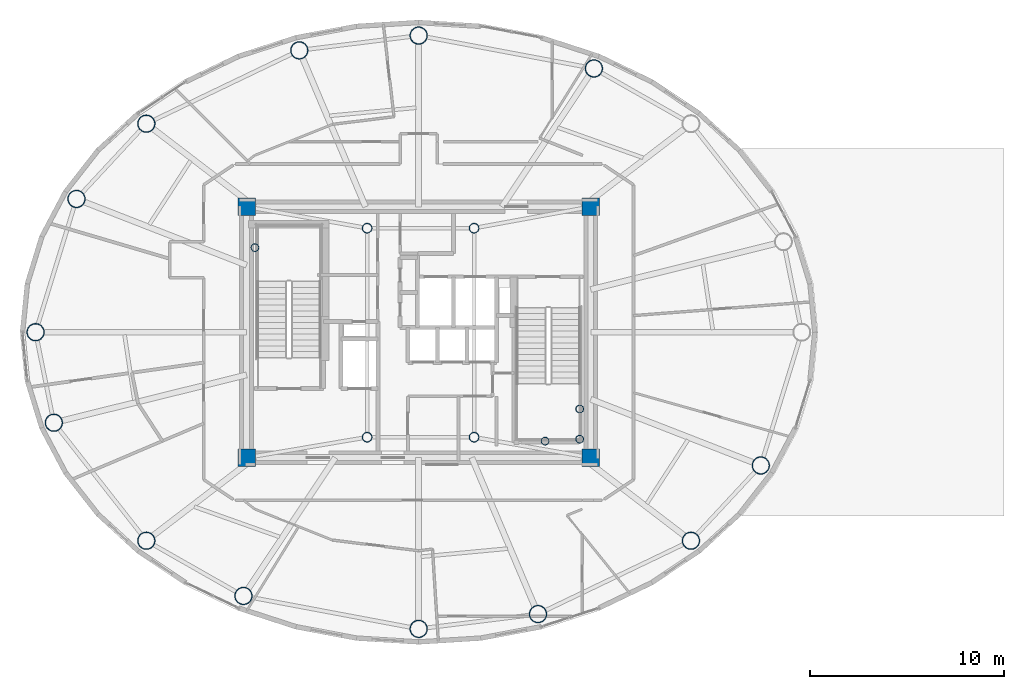
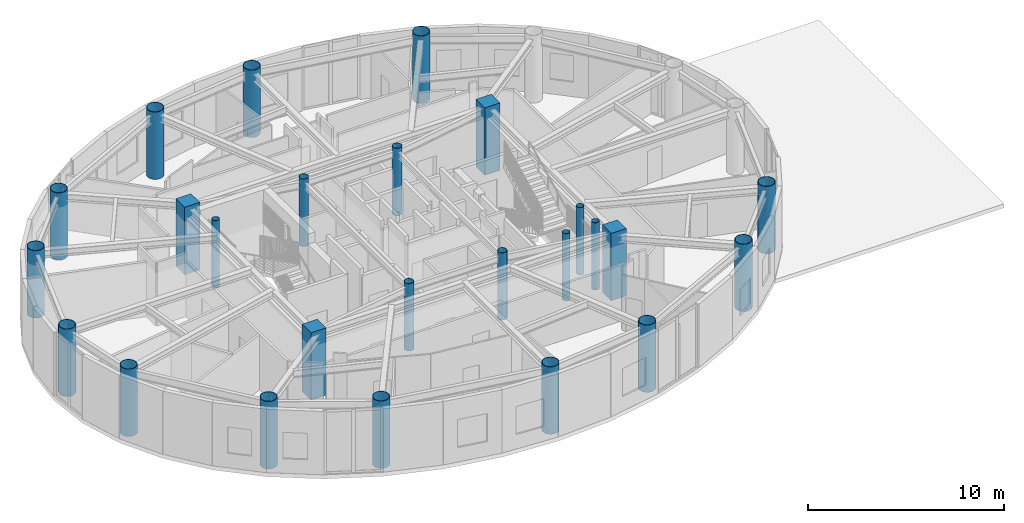
# One storey, part 1 of 24: 25 columns.
"""IFC4 building model written with IfcOpenShell, lengths in metres."""

from ifc_helpers import new_model, si_unit, direction, frame, origin, origin_2d, place, context, subcontext, project, spatial, rectangle, hollow_circle, extrude, material, material_profile, profile_set, type_object, element, save


model = new_model("IFC4")

# Units and contexts
model_context = context("Model", 3, precision=1e-05, world=origin(), true_north=direction((0.0, 1.0)))
body_context = subcontext(model_context, "Body", "Model", "MODEL_VIEW")
ifc_project = project(units=[si_unit("LENGTHUNIT", "METRE"), si_unit("AREAUNIT", "SQUARE_METRE"), si_unit("VOLUMEUNIT", "CUBIC_METRE"), si_unit("PLANEANGLEUNIT", "RADIAN"), si_unit("MASSUNIT", "GRAM", prefix="KILO")], contexts=[model_context])

# Site, building, storey
site_placement = place(None, origin())
site = spatial("IfcSite", under=ifc_project, at=site_placement, CompositionType="ELEMENT")
building_placement = place(site_placement, origin())
building = spatial("IfcBuilding", under=site, at=building_placement, Name="Linh Dai School and Residence Tower", CompositionType="ELEMENT")
storey_placement = place(building_placement, frame((0.0, 0.0, 355.199951171875)))
storey = spatial("IfcBuildingStorey", under=building, at=storey_placement, Name="L88", CompositionType="ELEMENT", Elevation=355.199951171875)

# Columns
ifc_material_1 = material(Name="Concrete B45 (C35/45)", Category="concrete")
ifc_material_profile_1 = material_profile(ifc_material_1, rectangle(XDim=0.89990234375, YDim=0.89990234375, at=origin_2d()), Name="RC 900x900")
ifc_profile_set_1 = profile_set([ifc_material_profile_1], Name="Concrete B45 (C35/45)")
column_type_1 = type_object("IfcColumnType", Name="COL-CC4", PredefinedType="COLUMN", material=ifc_profile_set_1)
for number, where, z_axis, x_axis, name in (
    (1, (27.14990234375, 20.550048828125, 0.0), (0.0, 0.0, 1.0), (1.0, 0.0, 0.0), "L88 Core Corner Pier CC1"),
    (2, (44.85009765625, 20.550048828125, 0.0), (0.0, 0.0, 1.0), (1.0, 0.0, 0.0), "L88 Core Corner Pier CC2"),
    (3, (44.85009765625, 33.449951171875, 0.0), (0.0, 0.0, 1.0), (1.0, 0.0, 0.0), "L88 Core Corner Pier CC3"),
    (4, (27.14990234375, 33.449951171875, 0.0), (0.0, 0.0, 1.0), (1.0, 0.0, 0.0), "L88 Core Corner Pier CC4"),
):
    element("IfcColumn", number, at=place(storey_placement, frame(where, z_axis=z_axis, x_axis=x_axis)), inside=storey, type_object=column_type_1, Name=name, PredefinedType="COLUMN", context=body_context, shape_type="SweptSolid", body=[
        extrude(rectangle(XDim=0.89990234375, YDim=0.89990234375, at=origin_2d()), origin(), (0.0, 0.0, 1.0), 4.199951171875),
    ])
ifc_material_2 = material(Name="Structural Steel S355JR", Category="steel")
ifc_material_profile_2 = material_profile(ifc_material_2, hollow_circle(Radius=0.203125, WallThickness=0.01611328125, at=origin_2d()), Name="CHS 406.4x16")
ifc_profile_set_2 = profile_set([ifc_material_profile_2], Name="Structural Steel S355JR")
column_type_2 = type_object("IfcColumnType", Name="COL-EC", PredefinedType="COLUMN", material=ifc_profile_set_2)
for number, where, z_axis, x_axis, name in (
    (5, (27.580078125, 31.35009765625, 0.0), (0.0, 0.0, 1.0), (1.0, 0.0, 0.0), "L88 Stair Shaft Landing Support Pier ST1NW"),
    (6, (44.280029296875, 21.5, 0.0), (0.0, 0.0, 1.0), (1.0, 0.0, 0.0), "L88 Stair Shaft Landing Support Pier ST2SE"),
    (7, (44.280029296875, 23.050048828125, 0.0), (0.0, 0.0, 1.0), (1.0, 0.0, 0.0), "L88 Stair Shaft Landing Support Pier ST2NE"),
    (8, (42.5, 21.39990234375, 0.0), (0.0, 0.0, 1.0), (1.0, 0.0, 0.0), "L88 Stair Shaft Landing Support Pier ST2MS"),
):
    element("IfcColumn", number, at=place(storey_placement, frame(where, z_axis=z_axis, x_axis=x_axis)), inside=storey, type_object=column_type_2, Name=name, PredefinedType="COLUMN", context=body_context, shape_type="SweptSolid", body=[
        extrude(hollow_circle(Radius=0.203125, WallThickness=0.01611328125, at=origin_2d()), origin(), (0.0, 0.0, 1.0), 4.199951171875),
    ])
ifc_material_profile_3 = material_profile(ifc_material_2, hollow_circle(Radius=0.449951171875, WallThickness=0.028076171875, at=origin_2d()), Name="CHS 900x28")
ifc_profile_set_3 = profile_set([ifc_material_profile_3], Name="Structural Steel S355JR")
column_type_3 = type_object("IfcColumnType", Name="COL-MC7", PredefinedType="COLUMN", material=ifc_profile_set_3)
for number, where, z_axis, x_axis, name in (
    (9, (45.01025390625, 40.56201171875, 0.0), (0.0, 0.0, 1.0), (1.0, 0.0, 0.0), "L88 Perimeter CFT Mega-Column MC04"),
    (10, (36.0, 42.2548828125, 0.0), (0.0, 0.0, 1.0), (1.0, 0.0, 0.0), "L88 Perimeter CFT Mega-Column MC05"),
    (11, (29.862548828125, 41.493896484375, 0.0), (0.0, 0.0, 1.0), (1.0, 0.0, 0.0), "L88 Perimeter CFT Mega-Column MC06"),
    (12, (21.99755859375, 37.72265625, 0.0), (0.0, 0.0, 1.0), (1.0, 0.0, 0.0), "L88 Perimeter CFT Mega-Column MC07"),
    (13, (18.405029296875, 33.8525390625, 0.0), (0.0, 0.0, 1.0), (1.0, 0.0, 0.0), "L88 Perimeter CFT Mega-Column MC08"),
    (14, (16.300048828125, 27.0, 0.0), (0.0, 0.0, 1.0), (1.0, 0.0, 0.0), "L88 Perimeter CFT Mega-Column MC09"),
    (15, (17.2421875, 22.34521484375, 0.0), (0.0, 0.0, 1.0), (1.0, 0.0, 0.0), "L88 Perimeter CFT Mega-Column MC10"),
    (16, (21.99755859375, 16.27734375, 0.0), (0.0, 0.0, 1.0), (1.0, 0.0, 0.0), "L88 Perimeter CFT Mega-Column MC11"),
    (17, (26.98974609375, 13.43798828125, 0.0), (0.0, 0.0, 1.0), (1.0, 0.0, 0.0), "L88 Perimeter CFT Mega-Column MC12"),
    (18, (36.0, 11.7451171875, 0.0), (0.0, 0.0, 1.0), (1.0, 0.0, 0.0), "L88 Perimeter CFT Mega-Column MC13"),
    (19, (42.137451171875, 12.506103515625, 0.0), (0.0, 0.0, 1.0), (1.0, 0.0, 0.0), "L88 Perimeter CFT Mega-Column MC14"),
    (20, (50.00244140625, 16.27734375, 0.0), (0.0, 0.0, 1.0), (1.0, 0.0, 0.0), "L88 Perimeter CFT Mega-Column MC15"),
    (21, (53.594970703125, 20.1474609375, 0.0), (0.0, 0.0, 1.0), (1.0, 0.0, 0.0), "L88 Perimeter CFT Mega-Column MC16"),
):
    element("IfcColumn", number, at=place(storey_placement, frame(where, z_axis=z_axis, x_axis=x_axis)), inside=storey, type_object=column_type_3, Name=name, PredefinedType="COLUMN", context=body_context, shape_type="SweptSolid", body=[
        extrude(hollow_circle(Radius=0.449951171875, WallThickness=0.028076171875, at=origin_2d()), origin(), (0.0, 0.0, 1.0), 4.199951171875),
    ])
ifc_material_profile_4 = material_profile(ifc_material_2, hollow_circle(Radius=0.25390625, WallThickness=0.02001953125, at=origin_2d()), Name="CHS 508x20")
ifc_profile_set_4 = profile_set([ifc_material_profile_4], Name="Structural Steel S355JR")
column_type_4 = type_object("IfcColumnType", Name="COL-MCP", PredefinedType="COLUMN", material=ifc_profile_set_4)
for number, where, z_axis, x_axis, name in (
    (22, (33.35009765625, 21.60009765625, 0.0), (0.0, 0.0, 1.0), (1.0, 0.0, 0.0), "L88 Core Mast Support Pier MCP1"),
    (23, (38.85009765625, 21.60009765625, 0.0), (0.0, 0.0, 1.0), (1.0, 0.0, 0.0), "L88 Core Mast Support Pier MCP2"),
    (24, (38.85009765625, 32.35009765625, 0.0), (0.0, 0.0, 1.0), (1.0, 0.0, 0.0), "L88 Core Mast Support Pier MCP3"),
    (25, (33.35009765625, 32.35009765625, 0.0), (0.0, 0.0, 1.0), (1.0, 0.0, 0.0), "L88 Core Mast Support Pier MCP4"),
):
    element("IfcColumn", number, at=place(storey_placement, frame(where, z_axis=z_axis, x_axis=x_axis)), inside=storey, type_object=column_type_4, Name=name, PredefinedType="COLUMN", context=body_context, shape_type="SweptSolid", body=[
        extrude(hollow_circle(Radius=0.25390625, WallThickness=0.02001953125, at=origin_2d()), origin(), (0.0, 0.0, 1.0), 4.199951171875),
    ])

save(model, "model.ifc")
